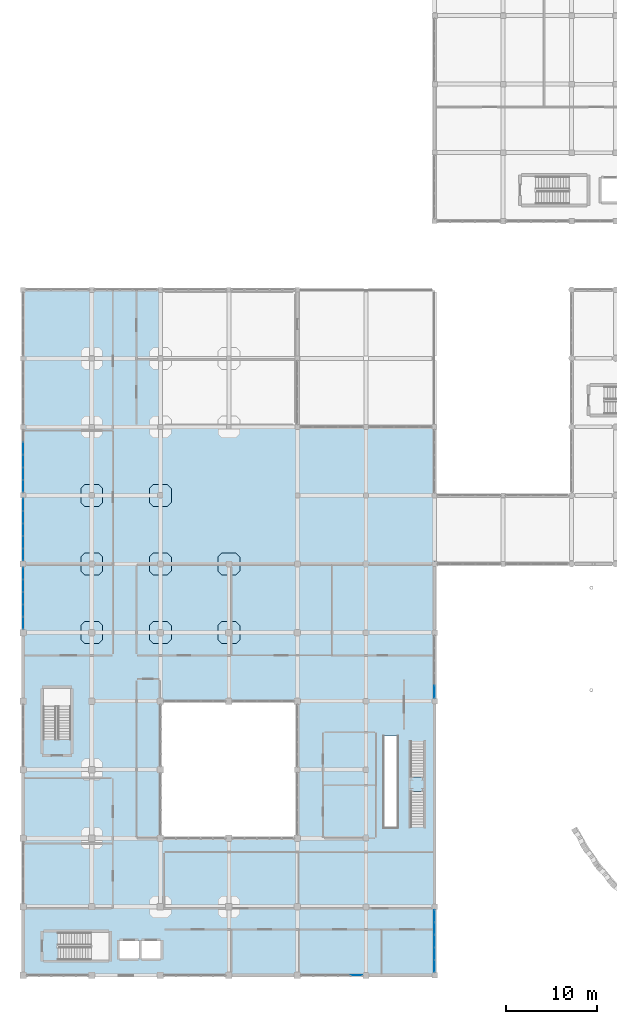
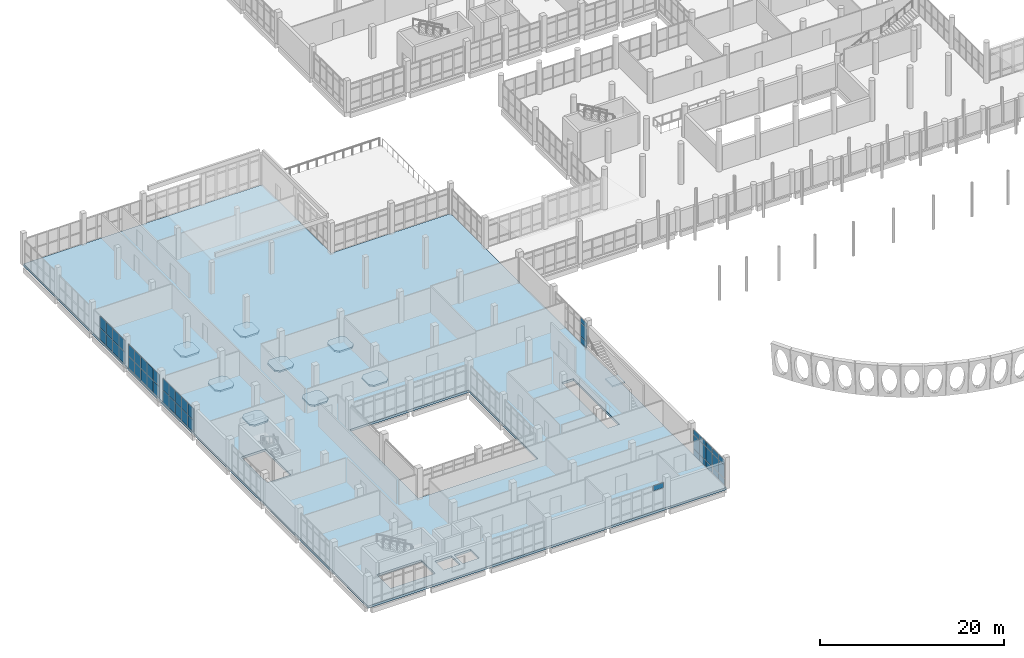
# One storey, part 123 of 164: 47 plates, 10 slabs, 7 elements without a shape of their own.
"""IFC4 building model written with IfcOpenShell, lengths in metres."""

from ifc_helpers import new_model, si_unit, direction, frame, origin, origin_2d, place, context, subcontext, project, spatial, polyline, rectangle, outline, extrude, material, layer, layer_set, type_object, element, aggregate, save


model = new_model("IFC4")

# Units and contexts
model_context = context("Model", 3, precision=1e-05, world=origin(), true_north=direction((0.0, 1.0)))
body_context = subcontext(model_context, "Body", "Model", "MODEL_VIEW")
ifc_project = project(units=[si_unit("LENGTHUNIT", "METRE"), si_unit("AREAUNIT", "SQUARE_METRE"), si_unit("VOLUMEUNIT", "CUBIC_METRE"), si_unit("PLANEANGLEUNIT", "RADIAN"), si_unit("MASSUNIT", "GRAM", prefix="KILO")], contexts=[model_context])

# Site, building, storey
site_placement = place(None, origin())
site = spatial("IfcSite", under=ifc_project, at=site_placement, CompositionType="ELEMENT")
building_placement = place(site_placement, origin())
building = spatial("IfcBuilding", under=site, at=building_placement, Name="Mawjan Specialist Oncology Clinic", CompositionType="ELEMENT")
storey_placement = place(building_placement, frame((0.0, 0.0, 5.0)))
storey = spatial("IfcBuildingStorey", under=building, at=storey_placement, Name="L01", CompositionType="ELEMENT", Elevation=5.0)

# Curtain wall, plates
ifc_material_1 = material(Name="Unitised spectrally selective aluminium curtain wall", Category="aluminium")
ifc_layer_1 = layer(ifc_material_1, 0.179931640625, Name="Unitised spectrally selective aluminium curtain wall", Category="aluminium")
ifc_layer_set_1 = layer_set([ifc_layer_1], Name="Unitised spectrally selective aluminium curtain wall")
curtain_wall_type_1 = type_object("IfcCurtainWallType", Name="CW-60", PredefinedType="NOTDEFINED", material=ifc_layer_set_1)
curtain_wall_1_placement = place(storey_placement, origin())
curtain_wall_1 = element("IfcCurtainWall", 1, at=curtain_wall_1_placement, inside=storey, type_object=curtain_wall_type_1, Name="L01 Unitised Curtain Wall CW-L01-140", PredefinedType="NOTDEFINED")
ifc_material_2 = material(Name="Spectrally selective double low-E glazing", Category="glass")
ifc_layer_2 = layer(ifc_material_2, 0.031982421875, Name="Spectrally selective double low-E glazing", Category="glass")
ifc_layer_set_2 = layer_set([ifc_layer_2], Name="Spectrally selective double low-E glazing")
plate_type = type_object("IfcPlateType", Name="CW-P32", PredefinedType="CURTAIN_PANEL", material=ifc_layer_set_2)
plate_1_placement = place(storey_placement, frame((45.0, 31.822265625, 0.06494140625), z_axis=(0.0, 0.0, 1.0), x_axis=(0.0, -1.0, 0.0)))
plate_1 = element("IfcPlate", 2, at=plate_1_placement, type_object=plate_type, Name="CW-60 panel 5.1", PredefinedType="CURTAIN_PANEL", context=body_context, shape_type="SweptSolid", body=[
    extrude(rectangle(XDim=1.2744140625, YDim=0.031982421875, at=origin_2d()), origin(), (0.0, 0.0, 1.0), 0.802490234375),
])
plate_2_placement = place(storey_placement, frame((45.0, 31.822265625, 0.932373046875), z_axis=(0.0, 0.0, 1.0), x_axis=(0.0, -1.0, 0.0)))
plate_2 = element("IfcPlate", 3, at=plate_2_placement, type_object=plate_type, Name="CW-60 panel 5.2", PredefinedType="CURTAIN_PANEL", context=body_context, shape_type="SweptSolid", body=[
    extrude(rectangle(XDim=1.2744140625, YDim=0.031982421875, at=origin_2d()), origin(), (0.0, 0.0, 1.0), 1.77001953125),
])
plate_3_placement = place(storey_placement, frame((45.0, 31.822265625, 2.767578125), z_axis=(0.0, 0.0, 1.0), x_axis=(0.0, -1.0, 0.0)))
plate_3 = element("IfcPlate", 4, at=plate_3_placement, type_object=plate_type, Name="CW-60 panel 5.3", PredefinedType="CURTAIN_PANEL", context=body_context, shape_type="SweptSolid", body=[
    extrude(rectangle(XDim=1.2744140625, YDim=0.031982421875, at=origin_2d()), origin(), (0.0, 0.0, 1.0), 0.652587890625),
])
aggregate(curtain_wall_1, [plate_1, plate_2, plate_3])

curtain_wall_2_placement = place(storey_placement, origin())
curtain_wall_2 = element("IfcCurtainWall", 5, at=curtain_wall_2_placement, inside=storey, type_object=curtain_wall_type_1, Name="L01 Unitised Curtain Wall CW-L01-141", PredefinedType="NOTDEFINED")
plate_4_placement = place(storey_placement, frame((45.0, 7.27783203125, 0.06494140625), z_axis=(0.0, 0.0, 1.0), x_axis=(0.0, -1.0, 0.0)))
plate_4 = element("IfcPlate", 6, at=plate_4_placement, type_object=plate_type, Name="CW-60 panel 1.1", PredefinedType="CURTAIN_PANEL", context=body_context, shape_type="SweptSolid", body=[
    extrude(rectangle(XDim=1.2744140625, YDim=0.031982421875, at=origin_2d()), origin(), (0.0, 0.0, 1.0), 0.802490234375),
])
plate_5_placement = place(storey_placement, frame((45.0, 7.27783203125, 0.932373046875), z_axis=(0.0, 0.0, 1.0), x_axis=(0.0, -1.0, 0.0)))
plate_5 = element("IfcPlate", 7, at=plate_5_placement, type_object=plate_type, Name="CW-60 panel 1.2", PredefinedType="CURTAIN_PANEL", context=body_context, shape_type="SweptSolid", body=[
    extrude(rectangle(XDim=1.2744140625, YDim=0.031982421875, at=origin_2d()), origin(), (0.0, 0.0, 1.0), 1.77001953125),
])
plate_6_placement = place(storey_placement, frame((45.0, 7.27783203125, 2.767578125), z_axis=(0.0, 0.0, 1.0), x_axis=(0.0, -1.0, 0.0)))
plate_6 = element("IfcPlate", 8, at=plate_6_placement, type_object=plate_type, Name="CW-60 panel 1.3", PredefinedType="CURTAIN_PANEL", context=body_context, shape_type="SweptSolid", body=[
    extrude(rectangle(XDim=1.2744140625, YDim=0.031982421875, at=origin_2d()), origin(), (0.0, 0.0, 1.0), 0.652587890625),
])
plate_7_placement = place(storey_placement, frame((45.0, 5.922119140625, 0.06494140625), z_axis=(0.0, 0.0, 1.0), x_axis=(0.0, -1.0, 0.0)))
plate_7 = element("IfcPlate", 9, at=plate_7_placement, type_object=plate_type, Name="CW-60 panel 2.1", PredefinedType="CURTAIN_PANEL", context=body_context, shape_type="SweptSolid", body=[
    extrude(rectangle(XDim=1.306884765625, YDim=0.031982421875, at=origin_2d()), origin(), (0.0, 0.0, 1.0), 0.802490234375),
])
plate_8_placement = place(storey_placement, frame((45.0, 5.922119140625, 0.932373046875), z_axis=(0.0, 0.0, 1.0), x_axis=(0.0, -1.0, 0.0)))
plate_8 = element("IfcPlate", 10, at=plate_8_placement, type_object=plate_type, Name="CW-60 panel 2.2", PredefinedType="CURTAIN_PANEL", context=body_context, shape_type="SweptSolid", body=[
    extrude(rectangle(XDim=1.306884765625, YDim=0.031982421875, at=origin_2d()), origin(), (0.0, 0.0, 1.0), 1.77001953125),
])
plate_9_placement = place(storey_placement, frame((45.0, 5.922119140625, 2.767578125), z_axis=(0.0, 0.0, 1.0), x_axis=(0.0, -1.0, 0.0)))
plate_9 = element("IfcPlate", 11, at=plate_9_placement, type_object=plate_type, Name="CW-60 panel 2.3", PredefinedType="CURTAIN_PANEL", context=body_context, shape_type="SweptSolid", body=[
    extrude(rectangle(XDim=1.306884765625, YDim=0.031982421875, at=origin_2d()), origin(), (0.0, 0.0, 1.0), 0.652587890625),
])
plate_10_placement = place(storey_placement, frame((45.0, 4.550048828125, 0.06494140625), z_axis=(0.0, 0.0, 1.0), x_axis=(0.0, -1.0, 0.0)))
plate_10 = element("IfcPlate", 12, at=plate_10_placement, type_object=plate_type, Name="CW-60 panel 3.1", PredefinedType="CURTAIN_PANEL", context=body_context, shape_type="SweptSolid", body=[
    extrude(rectangle(XDim=1.306884765625, YDim=0.031982421875, at=origin_2d()), origin(), (0.0, 0.0, 1.0), 0.802490234375),
])
plate_11_placement = place(storey_placement, frame((45.0, 4.550048828125, 0.932373046875), z_axis=(0.0, 0.0, 1.0), x_axis=(0.0, -1.0, 0.0)))
plate_11 = element("IfcPlate", 13, at=plate_11_placement, type_object=plate_type, Name="CW-60 panel 3.2", PredefinedType="CURTAIN_PANEL", context=body_context, shape_type="SweptSolid", body=[
    extrude(rectangle(XDim=1.306884765625, YDim=0.031982421875, at=origin_2d()), origin(), (0.0, 0.0, 1.0), 1.77001953125),
])
plate_12_placement = place(storey_placement, frame((45.0, 4.550048828125, 2.767578125), z_axis=(0.0, 0.0, 1.0), x_axis=(0.0, -1.0, 0.0)))
plate_12 = element("IfcPlate", 14, at=plate_12_placement, type_object=plate_type, Name="CW-60 panel 3.3", PredefinedType="CURTAIN_PANEL", context=body_context, shape_type="SweptSolid", body=[
    extrude(rectangle(XDim=1.306884765625, YDim=0.031982421875, at=origin_2d()), origin(), (0.0, 0.0, 1.0), 0.652587890625),
])
plate_13_placement = place(storey_placement, frame((45.0, 3.177978515625, 0.06494140625), z_axis=(0.0, 0.0, 1.0), x_axis=(0.0, -1.0, 0.0)))
plate_13 = element("IfcPlate", 15, at=plate_13_placement, type_object=plate_type, Name="CW-60 panel 4.1", PredefinedType="CURTAIN_PANEL", context=body_context, shape_type="SweptSolid", body=[
    extrude(rectangle(XDim=1.306884765625, YDim=0.031982421875, at=origin_2d()), origin(), (0.0, 0.0, 1.0), 0.802490234375),
])
plate_14_placement = place(storey_placement, frame((45.0, 3.177978515625, 0.932373046875), z_axis=(0.0, 0.0, 1.0), x_axis=(0.0, -1.0, 0.0)))
plate_14 = element("IfcPlate", 16, at=plate_14_placement, type_object=plate_type, Name="CW-60 panel 4.2", PredefinedType="CURTAIN_PANEL", context=body_context, shape_type="SweptSolid", body=[
    extrude(rectangle(XDim=1.306884765625, YDim=0.031982421875, at=origin_2d()), origin(), (0.0, 0.0, 1.0), 1.77001953125),
])
plate_15_placement = place(storey_placement, frame((45.0, 3.177978515625, 2.767578125), z_axis=(0.0, 0.0, 1.0), x_axis=(0.0, -1.0, 0.0)))
plate_15 = element("IfcPlate", 17, at=plate_15_placement, type_object=plate_type, Name="CW-60 panel 4.3", PredefinedType="CURTAIN_PANEL", context=body_context, shape_type="SweptSolid", body=[
    extrude(rectangle(XDim=1.306884765625, YDim=0.031982421875, at=origin_2d()), origin(), (0.0, 0.0, 1.0), 0.652587890625),
])
plate_16_placement = place(storey_placement, frame((45.0, 1.822265625, 0.06494140625), z_axis=(0.0, 0.0, 1.0), x_axis=(0.0, -1.0, 0.0)))
plate_16 = element("IfcPlate", 18, at=plate_16_placement, type_object=plate_type, Name="CW-60 panel 5.1", PredefinedType="CURTAIN_PANEL", context=body_context, shape_type="SweptSolid", body=[
    extrude(rectangle(XDim=1.2744140625, YDim=0.031982421875, at=origin_2d()), origin(), (0.0, 0.0, 1.0), 0.802490234375),
])
plate_17_placement = place(storey_placement, frame((45.0, 1.822265625, 0.932373046875), z_axis=(0.0, 0.0, 1.0), x_axis=(0.0, -1.0, 0.0)))
plate_17 = element("IfcPlate", 19, at=plate_17_placement, type_object=plate_type, Name="CW-60 panel 5.2", PredefinedType="CURTAIN_PANEL", context=body_context, shape_type="SweptSolid", body=[
    extrude(rectangle(XDim=1.2744140625, YDim=0.031982421875, at=origin_2d()), origin(), (0.0, 0.0, 1.0), 1.77001953125),
])
plate_18_placement = place(storey_placement, frame((45.0, 1.822265625, 2.767578125), z_axis=(0.0, 0.0, 1.0), x_axis=(0.0, -1.0, 0.0)))
plate_18 = element("IfcPlate", 20, at=plate_18_placement, type_object=plate_type, Name="CW-60 panel 5.3", PredefinedType="CURTAIN_PANEL", context=body_context, shape_type="SweptSolid", body=[
    extrude(rectangle(XDim=1.2744140625, YDim=0.031982421875, at=origin_2d()), origin(), (0.0, 0.0, 1.0), 0.652587890625),
])
aggregate(curtain_wall_2, [plate_4, plate_5, plate_6, plate_7, plate_8, plate_9, plate_10, plate_11, plate_12, plate_13, plate_14, plate_15, plate_16, plate_17, plate_18])

# Curtain wall, plate
ifc_material_3 = material(Name="Unitised spectrally selective aluminium curtain wall", Category="aluminium")
ifc_layer_3 = layer(ifc_material_3, 0.179931640625, Name="Unitised spectrally selective aluminium curtain wall", Category="aluminium")
ifc_layer_set_3 = layer_set([ifc_layer_3], Name="Unitised spectrally selective aluminium curtain wall")
curtain_wall_type_2 = type_object("IfcCurtainWallType", Name="CW-72", PredefinedType="NOTDEFINED", material=ifc_layer_set_3)
curtain_wall_3_placement = place(storey_placement, origin())
curtain_wall_3 = element("IfcCurtainWall", 21, at=curtain_wall_3_placement, inside=storey, type_object=curtain_wall_type_2, Name="L01 Unitised Curtain Wall CW-L01-142", PredefinedType="NOTDEFINED")
plate_19_placement = place(storey_placement, frame((36.460205078125, 0.800048828125, 2.767578125), z_axis=(0.0, 0.0, 1.0), x_axis=(-1.0, 0.0, 0.0)))
plate_19 = element("IfcPlate", 22, at=plate_19_placement, type_object=plate_type, Name="CW-72 panel 1.3", PredefinedType="CURTAIN_PANEL", context=body_context, shape_type="SweptSolid", body=[
    extrude(rectangle(XDim=1.259521484375, YDim=0.031982421875, at=origin_2d()), origin(), (0.0, 0.0, 1.0), 0.652587890625),
])
aggregate(curtain_wall_3, [plate_19])

# Curtain wall, plates
ifc_material_4 = material(Name="Unitised spectrally selective aluminium curtain wall", Category="aluminium")
ifc_layer_4 = layer(ifc_material_4, 0.179931640625, Name="Unitised spectrally selective aluminium curtain wall", Category="aluminium")
ifc_layer_set_4 = layer_set([ifc_layer_4], Name="Unitised spectrally selective aluminium curtain wall")
curtain_wall_type_3 = type_object("IfcCurtainWallType", Name="CW-74", PredefinedType="NOTDEFINED", material=ifc_layer_set_4)
curtain_wall_4_placement = place(storey_placement, origin())
curtain_wall_4 = element("IfcCurtainWall", 23, at=curtain_wall_4_placement, inside=storey, type_object=curtain_wall_type_3, Name="L01 Unitised Curtain Wall CW-L01-147", PredefinedType="NOTDEFINED")
plate_20_placement = place(storey_placement, frame((0.0, 39.36474609375, 0.06494140625), z_axis=(0.0, 0.0, 1.0), x_axis=(0.0, 1.0, 0.0)))
plate_20 = element("IfcPlate", 24, at=plate_20_placement, type_object=plate_type, Name="CW-74 panel 1.1", PredefinedType="CURTAIN_PANEL", context=body_context, shape_type="SweptSolid", body=[
    extrude(rectangle(XDim=1.259521484375, YDim=0.031982421875, at=origin_2d()), origin(), (0.0, 0.0, 1.0), 1.534912109375),
])
plate_21_placement = place(storey_placement, frame((0.0, 39.36474609375, 1.6650390625), z_axis=(0.0, 0.0, 1.0), x_axis=(0.0, 1.0, 0.0)))
plate_21 = element("IfcPlate", 25, at=plate_21_placement, type_object=plate_type, Name="CW-74 panel 1.2", PredefinedType="CURTAIN_PANEL", context=body_context, shape_type="SweptSolid", body=[
    extrude(rectangle(XDim=1.259521484375, YDim=0.031982421875, at=origin_2d()), origin(), (0.0, 0.0, 1.0), 1.534912109375),
])
plate_22_placement = place(storey_placement, frame((0.0, 40.70556640625, 0.06494140625), z_axis=(0.0, 0.0, 1.0), x_axis=(0.0, 1.0, 0.0)))
plate_22 = element("IfcPlate", 26, at=plate_22_placement, type_object=plate_type, Name="CW-74 panel 2.1", PredefinedType="CURTAIN_PANEL", context=body_context, shape_type="SweptSolid", body=[
    extrude(rectangle(XDim=1.2919921875, YDim=0.031982421875, at=origin_2d()), origin(), (0.0, 0.0, 1.0), 1.534912109375),
])
plate_23_placement = place(storey_placement, frame((0.0, 40.70556640625, 1.6650390625), z_axis=(0.0, 0.0, 1.0), x_axis=(0.0, 1.0, 0.0)))
plate_23 = element("IfcPlate", 27, at=plate_23_placement, type_object=plate_type, Name="CW-74 panel 2.2", PredefinedType="CURTAIN_PANEL", context=body_context, shape_type="SweptSolid", body=[
    extrude(rectangle(XDim=1.2919921875, YDim=0.031982421875, at=origin_2d()), origin(), (0.0, 0.0, 1.0), 1.534912109375),
])
plate_24_placement = place(storey_placement, frame((0.0, 42.0625, 0.06494140625), z_axis=(0.0, 0.0, 1.0), x_axis=(0.0, 1.0, 0.0)))
plate_24 = element("IfcPlate", 28, at=plate_24_placement, type_object=plate_type, Name="CW-74 panel 3.1", PredefinedType="CURTAIN_PANEL", context=body_context, shape_type="SweptSolid", body=[
    extrude(rectangle(XDim=1.2919921875, YDim=0.031982421875, at=origin_2d()), origin(), (0.0, 0.0, 1.0), 1.534912109375),
])
plate_25_placement = place(storey_placement, frame((0.0, 42.0625, 1.6650390625), z_axis=(0.0, 0.0, 1.0), x_axis=(0.0, 1.0, 0.0)))
plate_25 = element("IfcPlate", 29, at=plate_25_placement, type_object=plate_type, Name="CW-74 panel 3.2", PredefinedType="CURTAIN_PANEL", context=body_context, shape_type="SweptSolid", body=[
    extrude(rectangle(XDim=1.2919921875, YDim=0.031982421875, at=origin_2d()), origin(), (0.0, 0.0, 1.0), 1.534912109375),
])
plate_26_placement = place(storey_placement, frame((0.0, 43.41943359375, 0.06494140625), z_axis=(0.0, 0.0, 1.0), x_axis=(0.0, 1.0, 0.0)))
plate_26 = element("IfcPlate", 30, at=plate_26_placement, type_object=plate_type, Name="CW-74 panel 4.1", PredefinedType="CURTAIN_PANEL", context=body_context, shape_type="SweptSolid", body=[
    extrude(rectangle(XDim=1.2919921875, YDim=0.031982421875, at=origin_2d()), origin(), (0.0, 0.0, 1.0), 1.534912109375),
])
plate_27_placement = place(storey_placement, frame((0.0, 43.41943359375, 1.6650390625), z_axis=(0.0, 0.0, 1.0), x_axis=(0.0, 1.0, 0.0)))
plate_27 = element("IfcPlate", 31, at=plate_27_placement, type_object=plate_type, Name="CW-74 panel 4.2", PredefinedType="CURTAIN_PANEL", context=body_context, shape_type="SweptSolid", body=[
    extrude(rectangle(XDim=1.2919921875, YDim=0.031982421875, at=origin_2d()), origin(), (0.0, 0.0, 1.0), 1.534912109375),
])
plate_28_placement = place(storey_placement, frame((0.0, 44.76025390625, 0.06494140625), z_axis=(0.0, 0.0, 1.0), x_axis=(0.0, 1.0, 0.0)))
plate_28 = element("IfcPlate", 32, at=plate_28_placement, type_object=plate_type, Name="CW-74 panel 5.1", PredefinedType="CURTAIN_PANEL", context=body_context, shape_type="SweptSolid", body=[
    extrude(rectangle(XDim=1.259521484375, YDim=0.031982421875, at=origin_2d()), origin(), (0.0, 0.0, 1.0), 1.534912109375),
])
plate_29_placement = place(storey_placement, frame((0.0, 44.76025390625, 1.6650390625), z_axis=(0.0, 0.0, 1.0), x_axis=(0.0, 1.0, 0.0)))
plate_29 = element("IfcPlate", 33, at=plate_29_placement, type_object=plate_type, Name="CW-74 panel 5.2", PredefinedType="CURTAIN_PANEL", context=body_context, shape_type="SweptSolid", body=[
    extrude(rectangle(XDim=1.259521484375, YDim=0.031982421875, at=origin_2d()), origin(), (0.0, 0.0, 1.0), 1.534912109375),
])
aggregate(curtain_wall_4, [plate_20, plate_21, plate_22, plate_23, plate_24, plate_25, plate_26, plate_27, plate_28, plate_29])

ifc_material_5 = material(Name="Unitised spectrally selective aluminium curtain wall", Category="aluminium")
ifc_layer_5 = layer(ifc_material_5, 0.179931640625, Name="Unitised spectrally selective aluminium curtain wall", Category="aluminium")
ifc_layer_set_5 = layer_set([ifc_layer_5], Name="Unitised spectrally selective aluminium curtain wall")
curtain_wall_type_4 = type_object("IfcCurtainWallType", Name="CW-75", PredefinedType="NOTDEFINED", material=ifc_layer_set_5)
curtain_wall_5_placement = place(storey_placement, origin())
curtain_wall_5 = element("IfcCurtainWall", 34, at=curtain_wall_5_placement, inside=storey, type_object=curtain_wall_type_4, Name="L01 Unitised Curtain Wall CW-L01-148", PredefinedType="NOTDEFINED")
plate_30_placement = place(storey_placement, frame((0.0, 46.8447265625, 0.06494140625), z_axis=(0.0, 0.0, 1.0), x_axis=(0.0, 1.0, 0.0)))
plate_30 = element("IfcPlate", 35, at=plate_30_placement, type_object=plate_type, Name="CW-75 panel 1.1", PredefinedType="CURTAIN_PANEL", context=body_context, shape_type="SweptSolid", body=[
    extrude(rectangle(XDim=1.26953125, YDim=0.031982421875, at=origin_2d()), origin(), (0.0, 0.0, 1.0), 1.534912109375),
])
plate_31_placement = place(storey_placement, frame((0.0, 46.8447265625, 1.6650390625), z_axis=(0.0, 0.0, 1.0), x_axis=(0.0, 1.0, 0.0)))
plate_31 = element("IfcPlate", 36, at=plate_31_placement, type_object=plate_type, Name="CW-75 panel 1.2", PredefinedType="CURTAIN_PANEL", context=body_context, shape_type="SweptSolid", body=[
    extrude(rectangle(XDim=1.26953125, YDim=0.031982421875, at=origin_2d()), origin(), (0.0, 0.0, 1.0), 1.534912109375),
])
plate_32_placement = place(storey_placement, frame((0.0, 48.195556640625, 0.06494140625), z_axis=(0.0, 0.0, 1.0), x_axis=(0.0, 1.0, 0.0)))
plate_32 = element("IfcPlate", 37, at=plate_32_placement, type_object=plate_type, Name="CW-75 panel 2.1", PredefinedType="CURTAIN_PANEL", context=body_context, shape_type="SweptSolid", body=[
    extrude(rectangle(XDim=1.302001953125, YDim=0.031982421875, at=origin_2d()), origin(), (0.0, 0.0, 1.0), 1.534912109375),
])
plate_33_placement = place(storey_placement, frame((0.0, 48.195556640625, 1.6650390625), z_axis=(0.0, 0.0, 1.0), x_axis=(0.0, 1.0, 0.0)))
plate_33 = element("IfcPlate", 38, at=plate_33_placement, type_object=plate_type, Name="CW-75 panel 2.2", PredefinedType="CURTAIN_PANEL", context=body_context, shape_type="SweptSolid", body=[
    extrude(rectangle(XDim=1.302001953125, YDim=0.031982421875, at=origin_2d()), origin(), (0.0, 0.0, 1.0), 1.534912109375),
])
plate_34_placement = place(storey_placement, frame((0.0, 49.5625, 0.06494140625), z_axis=(0.0, 0.0, 1.0), x_axis=(0.0, 1.0, 0.0)))
plate_34 = element("IfcPlate", 39, at=plate_34_placement, type_object=plate_type, Name="CW-75 panel 3.1", PredefinedType="CURTAIN_PANEL", context=body_context, shape_type="SweptSolid", body=[
    extrude(rectangle(XDim=1.302001953125, YDim=0.031982421875, at=origin_2d()), origin(), (0.0, 0.0, 1.0), 1.534912109375),
])
plate_35_placement = place(storey_placement, frame((0.0, 49.5625, 1.6650390625), z_axis=(0.0, 0.0, 1.0), x_axis=(0.0, 1.0, 0.0)))
plate_35 = element("IfcPlate", 40, at=plate_35_placement, type_object=plate_type, Name="CW-75 panel 3.2", PredefinedType="CURTAIN_PANEL", context=body_context, shape_type="SweptSolid", body=[
    extrude(rectangle(XDim=1.302001953125, YDim=0.031982421875, at=origin_2d()), origin(), (0.0, 0.0, 1.0), 1.534912109375),
])
plate_36_placement = place(storey_placement, frame((0.0, 50.929443359375, 0.06494140625), z_axis=(0.0, 0.0, 1.0), x_axis=(0.0, 1.0, 0.0)))
plate_36 = element("IfcPlate", 41, at=plate_36_placement, type_object=plate_type, Name="CW-75 panel 4.1", PredefinedType="CURTAIN_PANEL", context=body_context, shape_type="SweptSolid", body=[
    extrude(rectangle(XDim=1.302001953125, YDim=0.031982421875, at=origin_2d()), origin(), (0.0, 0.0, 1.0), 1.534912109375),
])
plate_37_placement = place(storey_placement, frame((0.0, 50.929443359375, 1.6650390625), z_axis=(0.0, 0.0, 1.0), x_axis=(0.0, 1.0, 0.0)))
plate_37 = element("IfcPlate", 42, at=plate_37_placement, type_object=plate_type, Name="CW-75 panel 4.2", PredefinedType="CURTAIN_PANEL", context=body_context, shape_type="SweptSolid", body=[
    extrude(rectangle(XDim=1.302001953125, YDim=0.031982421875, at=origin_2d()), origin(), (0.0, 0.0, 1.0), 1.534912109375),
])
plate_38_placement = place(storey_placement, frame((0.0, 52.2802734375, 0.06494140625), z_axis=(0.0, 0.0, 1.0), x_axis=(0.0, 1.0, 0.0)))
plate_38 = element("IfcPlate", 43, at=plate_38_placement, type_object=plate_type, Name="CW-75 panel 5.1", PredefinedType="CURTAIN_PANEL", context=body_context, shape_type="SweptSolid", body=[
    extrude(rectangle(XDim=1.26953125, YDim=0.031982421875, at=origin_2d()), origin(), (0.0, 0.0, 1.0), 1.534912109375),
])
plate_39_placement = place(storey_placement, frame((0.0, 52.2802734375, 1.6650390625), z_axis=(0.0, 0.0, 1.0), x_axis=(0.0, 1.0, 0.0)))
plate_39 = element("IfcPlate", 44, at=plate_39_placement, type_object=plate_type, Name="CW-75 panel 5.2", PredefinedType="CURTAIN_PANEL", context=body_context, shape_type="SweptSolid", body=[
    extrude(rectangle(XDim=1.26953125, YDim=0.031982421875, at=origin_2d()), origin(), (0.0, 0.0, 1.0), 1.534912109375),
])
aggregate(curtain_wall_5, [plate_30, plate_31, plate_32, plate_33, plate_34, plate_35, plate_36, plate_37, plate_38, plate_39])

ifc_material_6 = material(Name="Unitised spectrally selective aluminium curtain wall", Category="aluminium")
ifc_layer_6 = layer(ifc_material_6, 0.179931640625, Name="Unitised spectrally selective aluminium curtain wall", Category="aluminium")
ifc_layer_set_6 = layer_set([ifc_layer_6], Name="Unitised spectrally selective aluminium curtain wall")
curtain_wall_type_5 = type_object("IfcCurtainWallType", Name="CW-76", PredefinedType="NOTDEFINED", material=ifc_layer_set_6)
curtain_wall_6_placement = place(storey_placement, origin())
curtain_wall_6 = element("IfcCurtainWall", 45, at=curtain_wall_6_placement, inside=storey, type_object=curtain_wall_type_5, Name="L01 Unitised Curtain Wall CW-L01-149", PredefinedType="NOTDEFINED")
plate_40_placement = place(storey_placement, frame((0.0, 54.32470703125, 0.06494140625), z_axis=(0.0, 0.0, 1.0), x_axis=(0.0, 1.0, 0.0)))
plate_40 = element("IfcPlate", 46, at=plate_40_placement, type_object=plate_type, Name="CW-76 panel 1.1", PredefinedType="CURTAIN_PANEL", context=body_context, shape_type="SweptSolid", body=[
    extrude(rectangle(XDim=1.279541015625, YDim=0.031982421875, at=origin_2d()), origin(), (0.0, 0.0, 1.0), 1.534912109375),
])
plate_41_placement = place(storey_placement, frame((0.0, 54.32470703125, 1.6650390625), z_axis=(0.0, 0.0, 1.0), x_axis=(0.0, 1.0, 0.0)))
plate_41 = element("IfcPlate", 47, at=plate_41_placement, type_object=plate_type, Name="CW-76 panel 1.2", PredefinedType="CURTAIN_PANEL", context=body_context, shape_type="SweptSolid", body=[
    extrude(rectangle(XDim=1.279541015625, YDim=0.031982421875, at=origin_2d()), origin(), (0.0, 0.0, 1.0), 1.534912109375),
])
plate_42_placement = place(storey_placement, frame((0.0, 55.685546875, 0.06494140625), z_axis=(0.0, 0.0, 1.0), x_axis=(0.0, 1.0, 0.0)))
plate_42 = element("IfcPlate", 48, at=plate_42_placement, type_object=plate_type, Name="CW-76 panel 2.1", PredefinedType="CURTAIN_PANEL", context=body_context, shape_type="SweptSolid", body=[
    extrude(rectangle(XDim=1.31201171875, YDim=0.031982421875, at=origin_2d()), origin(), (0.0, 0.0, 1.0), 1.534912109375),
])
plate_43_placement = place(storey_placement, frame((0.0, 55.685546875, 1.6650390625), z_axis=(0.0, 0.0, 1.0), x_axis=(0.0, 1.0, 0.0)))
plate_43 = element("IfcPlate", 49, at=plate_43_placement, type_object=plate_type, Name="CW-76 panel 2.2", PredefinedType="CURTAIN_PANEL", context=body_context, shape_type="SweptSolid", body=[
    extrude(rectangle(XDim=1.31201171875, YDim=0.031982421875, at=origin_2d()), origin(), (0.0, 0.0, 1.0), 1.534912109375),
])
plate_44_placement = place(storey_placement, frame((0.0, 57.0625, 0.06494140625), z_axis=(0.0, 0.0, 1.0), x_axis=(0.0, 1.0, 0.0)))
plate_44 = element("IfcPlate", 50, at=plate_44_placement, type_object=plate_type, Name="CW-76 panel 3.1", PredefinedType="CURTAIN_PANEL", context=body_context, shape_type="SweptSolid", body=[
    extrude(rectangle(XDim=1.31201171875, YDim=0.031982421875, at=origin_2d()), origin(), (0.0, 0.0, 1.0), 1.534912109375),
])
plate_45_placement = place(storey_placement, frame((0.0, 57.0625, 1.6650390625), z_axis=(0.0, 0.0, 1.0), x_axis=(0.0, 1.0, 0.0)))
plate_45 = element("IfcPlate", 51, at=plate_45_placement, type_object=plate_type, Name="CW-76 panel 3.2", PredefinedType="CURTAIN_PANEL", context=body_context, shape_type="SweptSolid", body=[
    extrude(rectangle(XDim=1.31201171875, YDim=0.031982421875, at=origin_2d()), origin(), (0.0, 0.0, 1.0), 1.534912109375),
])
plate_46_placement = place(storey_placement, frame((0.0, 58.439453125, 0.06494140625), z_axis=(0.0, 0.0, 1.0), x_axis=(0.0, 1.0, 0.0)))
plate_46 = element("IfcPlate", 52, at=plate_46_placement, type_object=plate_type, Name="CW-76 panel 4.1", PredefinedType="CURTAIN_PANEL", context=body_context, shape_type="SweptSolid", body=[
    extrude(rectangle(XDim=1.31201171875, YDim=0.031982421875, at=origin_2d()), origin(), (0.0, 0.0, 1.0), 1.534912109375),
])
plate_47_placement = place(storey_placement, frame((0.0, 58.439453125, 1.6650390625), z_axis=(0.0, 0.0, 1.0), x_axis=(0.0, 1.0, 0.0)))
plate_47 = element("IfcPlate", 53, at=plate_47_placement, type_object=plate_type, Name="CW-76 panel 4.2", PredefinedType="CURTAIN_PANEL", context=body_context, shape_type="SweptSolid", body=[
    extrude(rectangle(XDim=1.31201171875, YDim=0.031982421875, at=origin_2d()), origin(), (0.0, 0.0, 1.0), 1.534912109375),
])
aggregate(curtain_wall_6, [plate_40, plate_41, plate_42, plate_43, plate_44, plate_45, plate_46, plate_47])

# Slabs
ifc_material_7 = material(Name="Concrete C35/45", Category="concrete")
ifc_layer_7 = layer(ifc_material_7, 0.219970703125, Name="Concrete C35/45", Category="concrete")
ifc_layer_set_7 = layer_set([ifc_layer_7], Name="Concrete C35/45")
slab_type_1 = type_object("IfcSlabType", Name="DP-220", PredefinedType="FLOOR", material=ifc_layer_set_7)
slab_1_placement = place(storey_placement, frame((0.0, 0.0, -0.52001953125)))
element("IfcSlab", 54, at=slab_1_placement, inside=storey, type_object=slab_type_1, Name="L01 Octagonal Column Drop Panel DP-L01-011", PredefinedType="FLOOR", context=body_context, shape_type="SweptSolid", body=[
    extrude(outline(polyline([(6.719970703125, 37.10009765625), (8.280029296875, 37.10009765625), (8.699951171875, 37.52001953125), (8.699951171875, 39.080078125), (8.280029296875, 39.5), (6.719970703125, 39.5), (6.300048828125, 39.080078125), (6.300048828125, 37.52001953125), (6.719970703125, 37.10009765625)])), origin(), (0.0, 0.0, 1.0), 0.219970703125),
])
slab_2_placement = place(storey_placement, frame((0.0, 0.0, -0.52001953125)))
element("IfcSlab", 55, at=slab_2_placement, inside=storey, type_object=slab_type_1, Name="L01 Octagonal Column Drop Panel DP-L01-015", PredefinedType="FLOOR", context=body_context, shape_type="SweptSolid", body=[
    extrude(outline(polyline([(6.719970703125, 44.60009765625), (8.280029296875, 44.60009765625), (8.699951171875, 45.02001953125), (8.699951171875, 46.580078125), (8.280029296875, 47.0), (6.719970703125, 47.0), (6.300048828125, 46.580078125), (6.300048828125, 45.02001953125), (6.719970703125, 44.60009765625)])), origin(), (0.0, 0.0, 1.0), 0.219970703125),
])
slab_3_placement = place(storey_placement, frame((0.0, 0.0, -0.52001953125)))
element("IfcSlab", 56, at=slab_3_placement, inside=storey, type_object=slab_type_1, Name="L01 Octagonal Column Drop Panel DP-L01-018", PredefinedType="FLOOR", context=body_context, shape_type="SweptSolid", body=[
    extrude(outline(polyline([(6.719970703125, 52.10009765625), (8.280029296875, 52.10009765625), (8.699951171875, 52.52001953125), (8.699951171875, 54.080078125), (8.280029296875, 54.5), (6.719970703125, 54.5), (6.300048828125, 54.080078125), (6.300048828125, 52.52001953125), (6.719970703125, 52.10009765625)])), origin(), (0.0, 0.0, 1.0), 0.219970703125),
])
slab_4_placement = place(storey_placement, frame((0.0, 0.0, -0.52001953125)))
element("IfcSlab", 57, at=slab_4_placement, inside=storey, type_object=slab_type_1, Name="L01 Octagonal Column Drop Panel DP-L01-029", PredefinedType="FLOOR", context=body_context, shape_type="SweptSolid", body=[
    extrude(outline(polyline([(14.219970703125, 37.10009765625), (15.780029296875, 37.10009765625), (16.199951171875, 37.52001953125), (16.199951171875, 39.080078125), (15.780029296875, 39.5), (14.219970703125, 39.5), (13.800048828125, 39.080078125), (13.800048828125, 37.52001953125), (14.219970703125, 37.10009765625)])), origin(), (0.0, 0.0, 1.0), 0.219970703125),
])
slab_5_placement = place(storey_placement, frame((0.0, 0.0, -0.52001953125)))
element("IfcSlab", 58, at=slab_5_placement, inside=storey, type_object=slab_type_1, Name="L01 Octagonal Column Drop Panel DP-L01-033", PredefinedType="FLOOR", context=body_context, shape_type="SweptSolid", body=[
    extrude(outline(polyline([(14.219970703125, 44.60009765625), (15.780029296875, 44.60009765625), (16.199951171875, 45.02001953125), (16.199951171875, 46.580078125), (15.780029296875, 47.0), (14.219970703125, 47.0), (13.800048828125, 46.580078125), (13.800048828125, 45.02001953125), (14.219970703125, 44.60009765625)])), origin(), (0.0, 0.0, 1.0), 0.219970703125),
])
slab_6_placement = place(storey_placement, frame((0.0, 0.0, -0.52001953125)))
element("IfcSlab", 59, at=slab_6_placement, inside=storey, type_object=slab_type_1, Name="L01 Octagonal Column Drop Panel DP-L01-034", PredefinedType="FLOOR", context=body_context, shape_type="SweptSolid", body=[
    extrude(outline(polyline([(14.219970703125, 52.10009765625), (15.780029296875, 52.10009765625), (16.199951171875, 52.52001953125), (16.199951171875, 54.080078125), (15.780029296875, 54.5), (14.219970703125, 54.5), (13.800048828125, 54.080078125), (13.800048828125, 52.52001953125), (14.219970703125, 52.10009765625)])), origin(), (0.0, 0.0, 1.0), 0.219970703125),
])
slab_7_placement = place(storey_placement, frame((0.0, 0.0, -0.52001953125)))
element("IfcSlab", 60, at=slab_7_placement, inside=storey, type_object=slab_type_1, Name="L01 Octagonal Column Drop Panel DP-L01-042", PredefinedType="FLOOR", context=body_context, shape_type="SweptSolid", body=[
    extrude(outline(polyline([(21.719970703125, 37.10009765625), (23.280029296875, 37.10009765625), (23.699951171875, 37.52001953125), (23.699951171875, 39.080078125), (23.280029296875, 39.5), (21.719970703125, 39.5), (21.300048828125, 39.080078125), (21.300048828125, 37.52001953125), (21.719970703125, 37.10009765625)])), origin(), (0.0, 0.0, 1.0), 0.219970703125),
])
slab_8_placement = place(storey_placement, frame((0.0, 0.0, -0.52001953125)))
element("IfcSlab", 61, at=slab_8_placement, inside=storey, type_object=slab_type_1, Name="L01 Octagonal Column Drop Panel DP-L01-046", PredefinedType="FLOOR", context=body_context, shape_type="SweptSolid", body=[
    extrude(outline(polyline([(21.719970703125, 44.60009765625), (23.280029296875, 44.60009765625), (23.699951171875, 45.02001953125), (23.699951171875, 46.580078125), (23.280029296875, 47.0), (21.719970703125, 47.0), (21.300048828125, 46.580078125), (21.300048828125, 45.02001953125), (21.719970703125, 44.60009765625)])), origin(), (0.0, 0.0, 1.0), 0.219970703125),
])
ifc_material_8 = material(Name="Concrete C35/45", Category="concrete")
ifc_layer_8 = layer(ifc_material_8, 0.300048828125, Name="Concrete C35/45", Category="concrete")
ifc_layer_set_8 = layer_set([ifc_layer_8], Name="Concrete C35/45")
slab_type_2 = type_object("IfcSlabType", Name="FS-300", PredefinedType="FLOOR", material=ifc_layer_set_8)
slab_9_placement = place(storey_placement, frame((0.0, 0.0, -0.300048828125)))
element("IfcSlab", 62, at=slab_9_placement, inside=storey, type_object=slab_type_2, Name="L01 Outpatient Consulting Courts Wing Slab SLB-V4-L01", PredefinedType="FLOOR", context=body_context, shape_type="SweptSolid", body=[
    extrude(outline(polyline([(0.0, 0.800048828125), (45.0, 0.800048828125), (45.0, 60.800048828125), (30.0, 60.800048828125), (30.0, 75.800048828125), (0.0, 75.800048828125), (0.0, 0.800048828125)]), holes=[polyline([(15.0, 15.800048828125), (30.0, 15.800048828125), (30.0, 30.800048828125), (15.0, 30.800048828125), (15.0, 15.800048828125)]), polyline([(3.800048828125, 2.5), (9.39990234375, 2.5), (9.39990234375, 5.5), (3.800048828125, 5.5), (3.800048828125, 2.5)]), polyline([(10.550048828125, 2.64990234375), (12.64990234375, 2.64990234375), (12.64990234375, 4.550048828125), (10.550048828125, 4.550048828125), (10.550048828125, 2.64990234375)]), polyline([(12.949951171875, 2.64990234375), (15.050048828125, 2.64990234375), (15.050048828125, 4.550048828125), (12.949951171875, 4.550048828125), (12.949951171875, 2.64990234375)]), polyline([(5.199951171875, 26.60009765625), (5.199951171875, 32.199951171875), (2.199951171875, 32.199951171875), (2.199951171875, 26.60009765625), (5.199951171875, 26.60009765625)]), polyline([(39.47509765625, 17.0), (40.925048828125, 17.0), (40.925048828125, 27.0), (39.47509765625, 27.0), (39.47509765625, 17.0)])]), origin(), (0.0, 0.0, 1.0), 0.300048828125),
])

# Stair, slab
ifc_material_9 = material(Name="Concrete C35/45", Category="concrete")
stair_type = type_object("IfcStairType", Name="STR-COMM", PredefinedType="STRAIGHT_RUN_STAIR", material=ifc_material_9)
stair_placement = place(storey_placement, origin())
stair = element("IfcStair", 63, at=stair_placement, inside=storey, type_object=stair_type, Name="Outpatient Court Communicating Stair ST-11", PredefinedType="STRAIGHT_RUN_STAIR")
ifc_material_10 = material(Name="Concrete C35/45", Category="concrete")
ifc_layer_9 = layer(ifc_material_10, 0.199951171875, Name="Concrete C35/45", Category="concrete")
ifc_layer_set_9 = layer_set([ifc_layer_9], Name="Concrete C35/45")
slab_type_3 = type_object("IfcSlabType", Name="LND-200", PredefinedType="LANDING", material=ifc_layer_set_9)
slab_10_placement = place(storey_placement, frame((0.0, 0.0, 2.050048828125)))
slab_10 = element("IfcSlab", 64, at=slab_10_placement, type_object=slab_type_3, Name="ST-11 landing 1", PredefinedType="LANDING", context=body_context, shape_type="SweptSolid", body=[
    extrude(outline(polyline([(42.31494140625, 20.89990234375), (43.885009765625, 20.89990234375), (43.885009765625, 22.5), (42.31494140625, 22.5), (42.31494140625, 20.89990234375)])), origin(), (0.0, 0.0, 1.0), 0.199951171875),
])
aggregate(stair, [slab_10])

save(model, "model.ifc")
